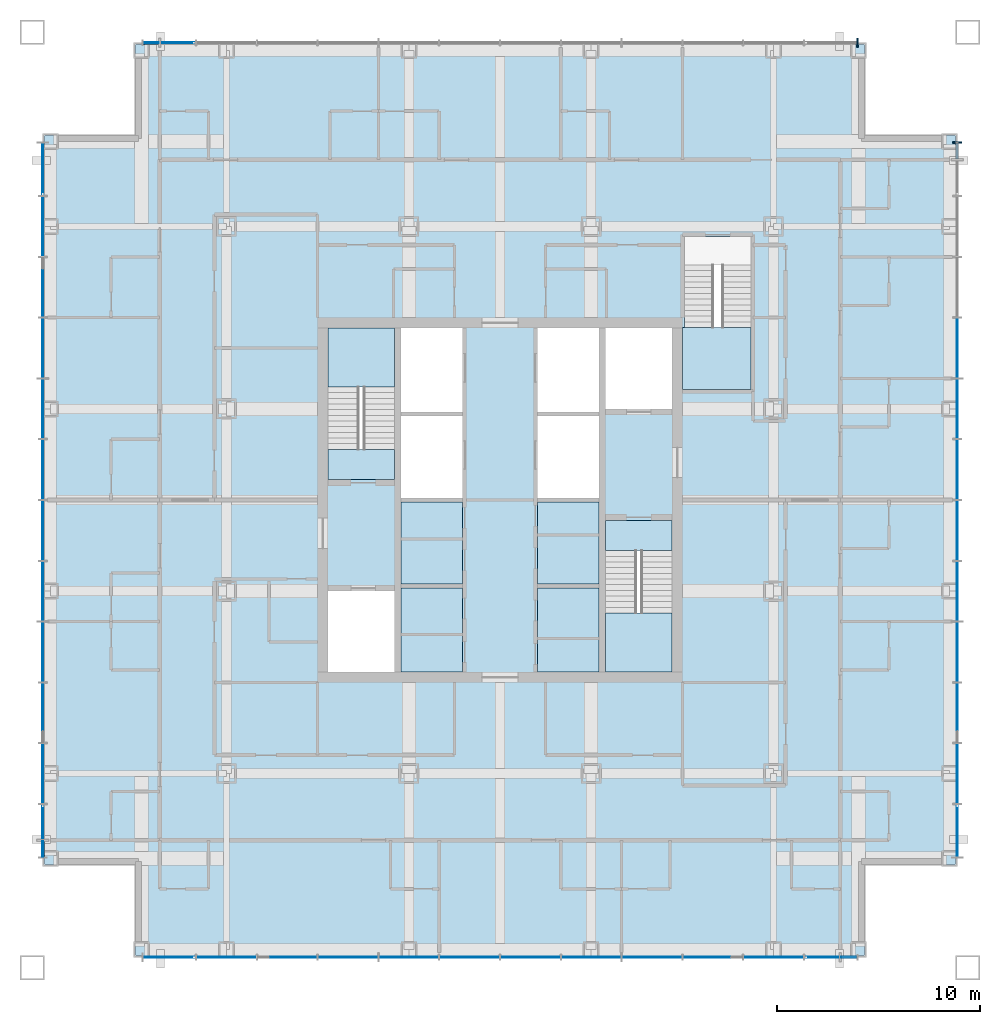
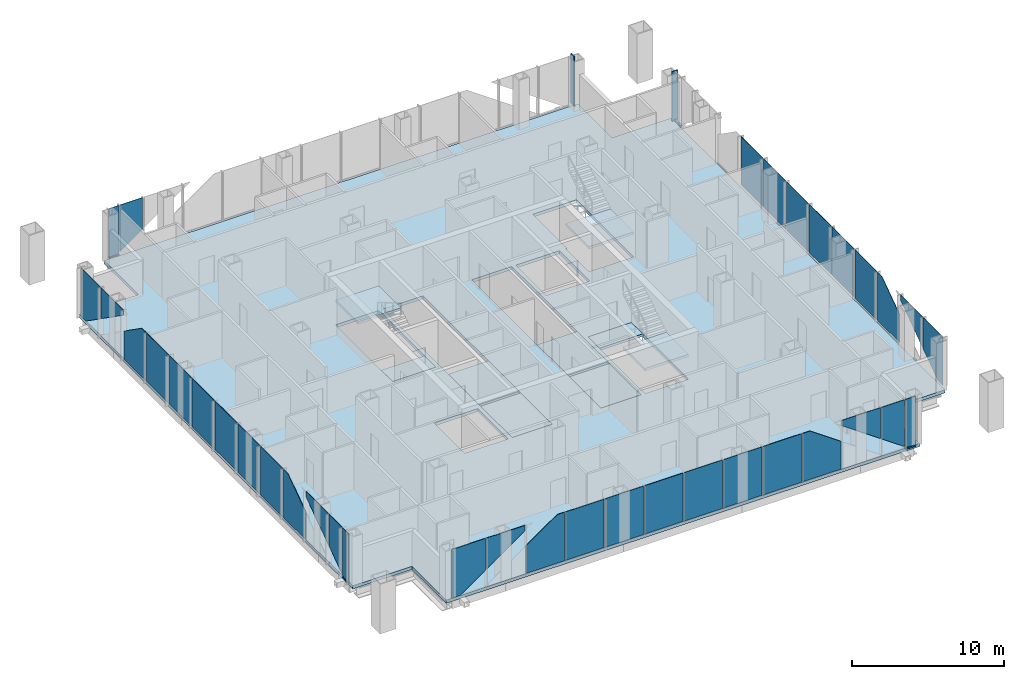
# One storey, part 5 of 15: 37 plates, 10 slabs, 6 members, 7 elements without a shape of their own.
"""IFC4 building model written with IfcOpenShell, lengths in metres."""

import ifcopenshell
import ifcopenshell.guid

model = None  # the IFC model being written
_history = None  # IfcOwnerHistory: only IFC2X3 demands one
_inside = {}  # id of a spatial element -> (the spatial element, [elements in it])
_under = {}  # id of a project, library or spatial element -> (it, [spatial elements below it])
_declared = {}  # id of a project -> (the project, [libraries it declares])
_typed = {}  # id of a type object -> (the type object, [elements of that type])
_made_of = {}  # id of a material, layer set ... -> (it, [elements and type objects made of it])


def new_model(schema):
    """Start an empty IFC model of exactly this schema.

    Asked for "IFC4X3", IfcOpenShell would pick the latest addendum, in which some entities
    have other attributes; the version numbers below select the first issue.
    IFC2X3 requires an IfcOwnerHistory on every rooted entity: one is made here for all.
    """
    global model, _history
    if schema == "IFC4X3":
        model = ifcopenshell.file(schema_version=(4, 3, 0, 0))
    else:
        model = ifcopenshell.file(schema=schema)
    _inside.clear()
    _under.clear()
    _declared.clear()
    _typed.clear()
    _made_of.clear()
    _history = None
    if model.schema == "IFC2X3":
        org = make("IfcOrganization", Name="unknown")
        user = make(
            "IfcPersonAndOrganization",
            ThePerson=make("IfcPerson", FamilyName="unknown"),
            TheOrganization=org,
        )
        app = make(
            "IfcApplication",
            ApplicationDeveloper=org,
            Version="unknown",
            ApplicationFullName="unknown",
            ApplicationIdentifier="unknown",
        )
        _history = make(
            "IfcOwnerHistory",
            OwningUser=user,
            OwningApplication=app,
            ChangeAction="ADDED",
            CreationDate=0,
        )
    return model


def make(cls, **values):
    """One entity of the class cls with the attributes given. An attribute that is None is left unset."""
    return model.create_entity(
        cls, **{name: value for name, value in values.items() if value is not None}
    )


def rooted(cls, **values):
    """An entity with a GlobalId (a new one), such as an element, a storey or a relation."""
    return make(cls, GlobalId=ifcopenshell.guid.new(), OwnerHistory=_history, **values)


def si_unit(unit_type, name, prefix=None):
    """IfcSIUnit, for example si_unit("LENGTHUNIT", "METRE", prefix="MILLI")."""
    return make("IfcSIUnit", UnitType=unit_type, Prefix=prefix, Name=name)


def assignment(units):
    """IfcUnitAssignment: the units of a project."""
    return None if units is None else make("IfcUnitAssignment", Units=units)


def point(xyz):
    """IfcCartesianPoint."""
    return None if xyz is None else make("IfcCartesianPoint", Coordinates=xyz)


def direction(xyz):
    """IfcDirection."""
    return None if xyz is None else make("IfcDirection", DirectionRatios=xyz)


def frame(location, z_axis=None, x_axis=None):
    """IfcAxis2Placement3D, a coordinate frame: its origin and axes. An axis left out is left unset."""
    return make(
        "IfcAxis2Placement3D",
        Location=point(location),
        Axis=direction(z_axis),
        RefDirection=direction(x_axis),
    )


def frame_2d(location, x_axis=None):
    """IfcAxis2Placement2D, a coordinate frame in the plane: its origin and x axis."""
    return make(
        "IfcAxis2Placement2D", Location=point(location), RefDirection=direction(x_axis)
    )


def origin():
    """The frame at (0, 0, 0) with its axes left unset."""
    return frame((0.0, 0.0, 0.0))


def origin_2d():
    """The frame at (0, 0) in the plane with its x axis left unset."""
    return frame_2d((0.0, 0.0))


def place(relative_to, where):
    """IfcLocalPlacement: puts the frame where relative to a parent placement (None: the world)."""
    return make(
        "IfcLocalPlacement", PlacementRelTo=relative_to, RelativePlacement=where
    )


def context(
    kind, dimensions, precision=None, world=None, true_north=None, identifier=None
):
    """IfcGeometricRepresentationContext, for example the 3D "Model" context."""
    return make(
        "IfcGeometricRepresentationContext",
        ContextIdentifier=identifier,
        ContextType=kind,
        CoordinateSpaceDimension=dimensions,
        Precision=precision,
        WorldCoordinateSystem=world,
        TrueNorth=true_north,
    )


def subcontext(parent, identifier, kind, view, scale=None):
    """IfcGeometricRepresentationSubContext, for example "Body" below "Model"."""
    return make(
        "IfcGeometricRepresentationSubContext",
        ContextIdentifier=identifier,
        ContextType=kind,
        ParentContext=parent,
        TargetScale=scale,
        TargetView=view,
    )


def project(units=None, contexts=None):
    """IfcProject with its units and contexts."""
    return rooted(
        "IfcProject",
        Name="project",
        RepresentationContexts=contexts,
        UnitsInContext=assignment(units),
    )


def spatial(cls, under=None, at=None, **own):
    """A site, building, storey or space (cls), placed at a placement, below another one or the project."""
    s = rooted(cls, ObjectPlacement=at, **own)
    if under is not None:
        _under.setdefault(under.id(), (under, []))[1].append(s)
    return s


def polyline(points):
    """IfcPolyline through the points."""
    return make("IfcPolyline", Points=[point(p) for p in points])


def profile(cls, at=None, kind="AREA", **sizes):
    """A parametric profile (cls). Its sizes go by their IFC names, for example OverallWidth=200.0."""
    return make(cls, ProfileType=kind, Position=at, **sizes)


def rectangle(**sizes):
    """IfcRectangleProfileDef."""
    return profile("IfcRectangleProfileDef", **sizes)


def outline(outer, holes=None, kind="AREA"):
    """IfcArbitraryClosedProfileDef: a profile drawn as a closed curve; with holes, ...WithVoids."""
    if holes is None:
        return make("IfcArbitraryClosedProfileDef", ProfileType=kind, OuterCurve=outer)
    return make(
        "IfcArbitraryProfileDefWithVoids",
        ProfileType=kind,
        OuterCurve=outer,
        InnerCurves=holes,
    )


def extrude(swept, where, along, depth):
    """IfcExtrudedAreaSolid: the profile swept, set in the frame where, extruded along a direction by depth."""
    return make(
        "IfcExtrudedAreaSolid",
        SweptArea=swept,
        Position=where,
        ExtrudedDirection=direction(along),
        Depth=depth,
    )


def shape(context_of_items, identifier, shape_type, items):
    """IfcShapeRepresentation: the items that make up one representation, for example the "Body"."""
    return make(
        "IfcShapeRepresentation",
        ContextOfItems=context_of_items,
        RepresentationIdentifier=identifier,
        RepresentationType=shape_type,
        Items=items,
    )


def material(Name=None, Category=None):
    """IfcMaterial."""
    return make("IfcMaterial", Name=Name, Category=Category)


def layer(
    of_material, thickness, ventilated=None, Name=None, Category=None, Priority=None
):
    """IfcMaterialLayer: one layer of a wall or slab, of a material (None: an air gap)."""
    return make(
        "IfcMaterialLayer",
        Material=of_material,
        LayerThickness=thickness,
        IsVentilated=ventilated,
        Name=Name,
        Category=Category,
        Priority=Priority,
    )


def layer_set(layers, Name=None):
    """IfcMaterialLayerSet."""
    return make("IfcMaterialLayerSet", MaterialLayers=layers, LayerSetName=Name)


def material_profile(
    of_material, cross_section, Name=None, Category=None, Priority=None
):
    """IfcMaterialProfile: a cross section and its material."""
    return make(
        "IfcMaterialProfile",
        Name=Name,
        Material=of_material,
        Profile=cross_section,
        Priority=Priority,
        Category=Category,
    )


def profile_set(profiles, Name=None, composite=None):
    """IfcMaterialProfileSet."""
    return make(
        "IfcMaterialProfileSet",
        Name=Name,
        MaterialProfiles=profiles,
        CompositeProfile=composite,
    )


def made_of(thing, what):
    """Note that an element or type object is made of a material, layer set ...; save() writes the relation."""
    if what is not None:
        _made_of.setdefault(what.id(), (what, []))[1].append(thing)
    return thing


def type_object(cls, material=None, **own):
    """A type object (cls), such as IfcWallType, which elements share."""
    return made_of(rooted(cls, **own), material)


def element(
    cls,
    number,
    at=None,
    inside=None,
    cuts=None,
    type_object=None,
    material=None,
    context=None,
    identifier="Body",
    shape_type=None,
    held_by="IfcProductDefinitionShape",
    body=None,
    shapes=None,
    **own,
):
    """One element of the class cls, such as IfcWall. Its Tag is "e" and its number.

    at: its placement. inside: the storey or other place that contains it. cuts: it is an
    opening in that element (IfcRelVoidsElement). A single representation is given by context,
    identifier, shape_type and body (its items); several are given by shapes. held_by: the class
    of the entity that holds the representations. save() writes the other relations.
    """
    e = rooted(cls, Tag="e%d" % number, ObjectPlacement=at, **own)
    if body is not None:
        shapes = [shape(context, identifier, shape_type, body)]
    if shapes is not None:
        e.Representation = make(held_by, Representations=shapes)
    if inside is not None:
        _inside.setdefault(inside.id(), (inside, []))[1].append(e)
    if cuts is not None:
        rooted(
            "IfcRelVoidsElement", RelatingBuildingElement=cuts, RelatedOpeningElement=e
        )
    if type_object is not None:
        _typed.setdefault(type_object.id(), (type_object, []))[1].append(e)
    return made_of(e, material)


def aggregate(whole, parts):
    """IfcRelAggregates: a whole, such as a stair, and the parts it consists of."""
    return rooted("IfcRelAggregates", RelatingObject=whole, RelatedObjects=parts)


def save(model, path):
    """Write the relations noted so far, then the file.

    IfcRelAggregates (storeys below a building ...), IfcRelContainedInSpatialStructure (elements
    in a storey), IfcRelDefinesByType, IfcRelAssociatesMaterial and IfcRelDeclares: one each for
    every whole, place, type object, material and project.
    """
    for whole, parts in _under.values():
        aggregate(whole, parts)
    for where, things in _inside.values():
        rooted(
            "IfcRelContainedInSpatialStructure",
            RelatedElements=things,
            RelatingStructure=where,
        )
    for kind, things in _typed.values():
        rooted("IfcRelDefinesByType", RelatedObjects=things, RelatingType=kind)
    for what, things in _made_of.values():
        rooted("IfcRelAssociatesMaterial", RelatedObjects=things, RelatingMaterial=what)
    for by, libraries in _declared.values():
        rooted("IfcRelDeclares", RelatingContext=by, RelatedDefinitions=libraries)
    model.write(path)


model = new_model("IFC4")

# Units and contexts
model_context = context("Model", 3, precision=1e-05, world=origin(), true_north=direction((0.0, 1.0)))
body_context = subcontext(model_context, "Body", "Model", "MODEL_VIEW")
ifc_project = project(units=[si_unit("LENGTHUNIT", "METRE"), si_unit("AREAUNIT", "SQUARE_METRE"), si_unit("VOLUMEUNIT", "CUBIC_METRE"), si_unit("PLANEANGLEUNIT", "RADIAN"), si_unit("MASSUNIT", "GRAM", prefix="KILO")], contexts=[model_context])

# Site, building, storey
site_placement = place(None, origin())
site = spatial("IfcSite", under=ifc_project, at=site_placement, CompositionType="ELEMENT")
building_placement = place(site_placement, origin())
building = spatial("IfcBuilding", under=site, at=building_placement, Name="Malebo Sky Hospital", CompositionType="ELEMENT")
storey_placement = place(building_placement, frame((0.0, 0.0, 181.0)))
storey = spatial("IfcBuildingStorey", under=building, at=storey_placement, Name="L43", CompositionType="ELEMENT", Elevation=181.0)

# Curtain wall, member
ifc_material_1 = material(Name="Anodised aluminium, natural silver", Category="aluminium")
ifc_layer_1 = layer(ifc_material_1, 0.25)
ifc_layer_set_1 = layer_set([ifc_layer_1], Name="WARD CURTAIN WALL NORTH AND SOUTH")
curtain_wall_type_1 = type_object("IfcCurtainWallType", Name="WARD CURTAIN WALL NORTH AND SOUTH", PredefinedType="NOTDEFINED", material=ifc_layer_set_1)
curtain_wall_1_placement = place(storey_placement, origin())
curtain_wall_1 = element("IfcCurtainWall", 1, at=curtain_wall_1_placement, inside=storey, type_object=curtain_wall_type_1, Name="NS curtain wall N", PredefinedType="NOTDEFINED")
ifc_material_profile_1 = material_profile(ifc_material_1, rectangle(XDim=0.14990234375, YDim=0.10009765625, at=origin_2d()), Name="ALUMINIUM TRANSOM 150x100")
ifc_profile_set_1 = profile_set([ifc_material_profile_1], Name="Anodised aluminium, natural silver")
member_type_1 = type_object("IfcMemberType", Name="ALUMINIUM TRANSOM 150x100", PredefinedType="USERDEFINED", material=ifc_profile_set_1)
member_1_placement = place(storey_placement, frame((42.375, 84.574951171875, 0.050048828125), z_axis=(1.0, 0.0, 0.0), x_axis=(0.0, 1.0, 0.0)))
member_1 = element("IfcMember", 2, at=member_1_placement, type_object=member_type_1, Name="Transom 1", ObjectType="TRANSOM", PredefinedType="USERDEFINED", context=body_context, shape_type="SweptSolid", body=[
    extrude(rectangle(XDim=0.14990234375, YDim=0.10009765625, at=origin_2d()), origin(), (0.0, 0.0, 1.0), 0.78759765625),
])

ifc_layer_2 = layer(ifc_material_1, 0.25)
ifc_layer_set_2 = layer_set([ifc_layer_2], Name="WARD CURTAIN WALL EAST AND WEST")
curtain_wall_type_2 = type_object("IfcCurtainWallType", Name="WARD CURTAIN WALL EAST AND WEST", PredefinedType="NOTDEFINED", material=ifc_layer_set_2)
curtain_wall_2_placement = place(storey_placement, origin())
curtain_wall_2 = element("IfcCurtainWall", 3, at=curtain_wall_2_placement, inside=storey, type_object=curtain_wall_type_2, Name="EW curtain wall W", PredefinedType="NOTDEFINED")
member_2_placement = place(storey_placement, frame((37.425048828125, 44.375, 0.050048828125), z_axis=(0.0, 1.0, 0.0), x_axis=(-1.0, 0.0, 0.0)))
member_2 = element("IfcMember", 4, at=member_2_placement, type_object=member_type_1, Name="Transom 1", ObjectType="TRANSOM", PredefinedType="USERDEFINED", context=body_context, shape_type="SweptSolid", body=[
    extrude(rectangle(XDim=0.14990234375, YDim=0.10009765625, at=origin_2d()), origin(), (0.0, 0.0, 1.0), 0.78759765625),
])

curtain_wall_3_placement = place(storey_placement, origin())
curtain_wall_3 = element("IfcCurtainWall", 5, at=curtain_wall_3_placement, inside=storey, type_object=curtain_wall_type_1, Name="NS curtain wall S", PredefinedType="NOTDEFINED")
member_3_placement = place(storey_placement, frame((77.625, 39.425048828125, 0.050048828125), z_axis=(-1.0, 0.0, 0.0), x_axis=(0.0, -1.0, 0.0)))
member_3 = element("IfcMember", 6, at=member_3_placement, type_object=member_type_1, Name="Transom 1", ObjectType="TRANSOM", PredefinedType="USERDEFINED", context=body_context, shape_type="SweptSolid", body=[
    extrude(rectangle(XDim=0.14990234375, YDim=0.10009765625, at=origin_2d()), origin(), (0.0, 0.0, 1.0), 0.78759765625),
])

curtain_wall_4_placement = place(storey_placement, origin())
curtain_wall_4 = element("IfcCurtainWall", 7, at=curtain_wall_4_placement, inside=storey, type_object=curtain_wall_type_2, Name="EW curtain wall E", PredefinedType="NOTDEFINED")
member_4_placement = place(storey_placement, frame((82.574951171875, 79.625, 0.050048828125), z_axis=(0.0, -1.0, 0.0), x_axis=(1.0, 0.0, 0.0)))
member_4 = element("IfcMember", 8, at=member_4_placement, type_object=member_type_1, Name="Transom 1", ObjectType="TRANSOM", PredefinedType="USERDEFINED", context=body_context, shape_type="SweptSolid", body=[
    extrude(rectangle(XDim=0.14990234375, YDim=0.10009765625, at=origin_2d()), origin(), (0.0, 0.0, 1.0), 0.78759765625),
])

# Member
ifc_material_profile_2 = material_profile(ifc_material_1, rectangle(XDim=0.074951171875, YDim=0.449951171875, at=origin_2d()), Name="CW1 ALUMINIUM FIN MULLION 75x450")
ifc_profile_set_2 = profile_set([ifc_material_profile_2], Name="Anodised aluminium, natural silver")
member_type_2 = type_object("IfcMemberType", Name="CW1 ALUMINIUM FIN MULLION 75x450", PredefinedType="MULLION", material=ifc_profile_set_2)
member_5_placement = place(storey_placement, frame((77.66259765625, 84.574951171875, 0.0), z_axis=(0.0, 0.0, 1.0), x_axis=(1.0, 0.0, 0.0)))
member_5 = element("IfcMember", 9, at=member_5_placement, type_object=member_type_2, Name="Fin mullion 14", PredefinedType="MULLION", context=body_context, shape_type="SweptSolid", body=[
    extrude(rectangle(XDim=0.074951171875, YDim=0.449951171875, at=origin_2d()), origin(), (0.0, 0.0, 1.0), 4.0),
])

ifc_material_profile_3 = material_profile(ifc_material_1, rectangle(XDim=0.074951171875, YDim=0.449951171875, at=origin_2d()), Name="CW2 ALUMINIUM FIN MULLION 75x450")
ifc_profile_set_3 = profile_set([ifc_material_profile_3], Name="Anodised aluminium, natural silver")
member_type_3 = type_object("IfcMemberType", Name="CW2 ALUMINIUM FIN MULLION 75x450", PredefinedType="MULLION", material=ifc_profile_set_3)
member_6_placement = place(storey_placement, frame((82.574951171875, 79.66259765625, 0.0), z_axis=(0.0, 0.0, 1.0), x_axis=(0.0, -1.0, 0.0)))
member_6 = element("IfcMember", 10, at=member_6_placement, type_object=member_type_3, Name="Fin mullion 1", PredefinedType="MULLION", context=body_context, shape_type="SweptSolid", body=[
    extrude(rectangle(XDim=0.074951171875, YDim=0.449951171875, at=origin_2d()), origin(), (0.0, 0.0, 1.0), 4.0),
])

# Slabs
ifc_material_2 = material(Name="Concrete C40/50", Category="concrete")
ifc_layer_3 = layer(ifc_material_2, 0.25)
ifc_layer_set_3 = layer_set([ifc_layer_3], Name="COMPOSITE FLOOR SLAB 250")
slab_type_1 = type_object("IfcSlabType", Name="COMPOSITE FLOOR SLAB 250", PredefinedType="FLOOR", material=ifc_layer_set_3)
slab_1_placement = place(storey_placement, frame((0.0, 0.0, -0.25)))
element("IfcSlab", 11, at=slab_1_placement, inside=storey, type_object=slab_type_1, Name="Floor slab L43", PredefinedType="FLOOR", context=body_context, shape_type="SweptSolid", body=[
    extrude(outline(polyline([(42.0, 84.5), (42.0, 80.0), (37.5, 80.0), (37.5, 44.0), (42.0, 44.0), (42.0, 39.5), (78.0, 39.5), (78.0, 44.0), (82.5, 44.0), (82.5, 80.0), (78.0, 80.0), (78.0, 84.5), (42.0, 84.5)]), holes=[polyline([(55.10009765625, 70.5), (58.14990234375, 70.5), (58.14990234375, 53.5), (55.10009765625, 53.5), (55.10009765625, 70.5)]), polyline([(64.89990234375, 70.5), (64.89990234375, 53.5), (61.85009765625, 53.5), (61.85009765625, 70.5), (64.89990234375, 70.5)]), polyline([(54.800048828125, 63.0), (51.5, 63.0), (51.5, 70.5), (54.800048828125, 70.5), (54.800048828125, 63.0)]), polyline([(51.5, 53.5), (51.5, 57.5), (54.800048828125, 57.5), (54.800048828125, 53.5), (51.5, 53.5)]), polyline([(65.199951171875, 61.0), (68.5, 61.0), (68.5, 53.5), (65.199951171875, 53.5), (65.199951171875, 61.0)]), polyline([(68.5, 70.5), (68.5, 66.5), (65.199951171875, 66.5), (65.199951171875, 70.5), (68.5, 70.5)]), polyline([(69.0, 67.449951171875), (69.0, 70.52001953125), (69.10009765625, 70.52001953125), (69.10009765625, 75.0), (72.39990234375, 75.0), (72.39990234375, 67.449951171875), (69.10009765625, 67.449951171875), (69.0, 67.449951171875)])]), origin(), (0.0, 0.0, 1.0), 0.25),
])
ifc_layer_4 = layer(ifc_material_2, 0.25)
ifc_layer_set_4 = layer_set([ifc_layer_4], Name="SHAFT INFILL SLAB 250")
slab_type_2 = type_object("IfcSlabType", Name="SHAFT INFILL SLAB 250", PredefinedType="FLOOR", material=ifc_layer_set_4)
slab_2_placement = place(storey_placement, frame((0.0, 0.0, -0.25)))
element("IfcSlab", 12, at=slab_2_placement, inside=storey, type_object=slab_type_2, Name="Shaft infill slab W1 L43", PredefinedType="FLOOR", context=body_context, shape_type="SweptSolid", body=[
    extrude(outline(polyline([(55.10009765625, 53.5), (58.14990234375, 53.5), (58.14990234375, 57.64990234375), (55.10009765625, 57.64990234375), (55.10009765625, 53.5)])), origin(), (0.0, 0.0, 1.0), 0.25),
])
slab_3_placement = place(storey_placement, frame((0.0, 0.0, -0.25)))
element("IfcSlab", 13, at=slab_3_placement, inside=storey, type_object=slab_type_2, Name="Shaft infill slab W2 L43", PredefinedType="FLOOR", context=body_context, shape_type="SweptSolid", body=[
    extrude(outline(polyline([(55.10009765625, 57.85009765625), (58.14990234375, 57.85009765625), (58.14990234375, 61.89990234375), (55.10009765625, 61.89990234375), (55.10009765625, 57.85009765625)])), origin(), (0.0, 0.0, 1.0), 0.25),
])
slab_4_placement = place(storey_placement, frame((0.0, 0.0, -0.25)))
element("IfcSlab", 14, at=slab_4_placement, inside=storey, type_object=slab_type_2, Name="Shaft infill slab E1 L43", PredefinedType="FLOOR", context=body_context, shape_type="SweptSolid", body=[
    extrude(outline(polyline([(61.85009765625, 53.5), (64.89990234375, 53.5), (64.89990234375, 57.64990234375), (61.85009765625, 57.64990234375), (61.85009765625, 53.5)])), origin(), (0.0, 0.0, 1.0), 0.25),
])
slab_5_placement = place(storey_placement, frame((0.0, 0.0, -0.25)))
element("IfcSlab", 15, at=slab_5_placement, inside=storey, type_object=slab_type_2, Name="Shaft infill slab E2 L43", PredefinedType="FLOOR", context=body_context, shape_type="SweptSolid", body=[
    extrude(outline(polyline([(61.85009765625, 57.85009765625), (64.89990234375, 57.85009765625), (64.89990234375, 61.89990234375), (61.85009765625, 61.89990234375), (61.85009765625, 57.85009765625)])), origin(), (0.0, 0.0, 1.0), 0.25),
])

# Stair, slabs
stair_type_1 = type_object("IfcStairType", Name="HALF-TURN STAIR 1500 R167", PredefinedType="HALF_TURN_STAIR", material=ifc_material_2)
stair_1_placement = place(storey_placement, origin())
stair_1 = element("IfcStair", 16, at=stair_1_placement, inside=storey, type_object=stair_type_1, Name="Stair S1 L43 type ST1", PredefinedType="HALF_TURN_STAIR")
ifc_layer_5 = layer(ifc_material_2, 0.199951171875)
ifc_layer_set_5 = layer_set([ifc_layer_5], Name="STAIR LANDING 200")
slab_type_3 = type_object("IfcSlabType", Name="STAIR LANDING 200", PredefinedType="LANDING", material=ifc_layer_set_5)
slab_6_placement = place(storey_placement, frame((0.0, 0.0, -0.199951171875)))
slab_6 = element("IfcSlab", 17, at=slab_6_placement, type_object=slab_type_3, Name="S1 landing 1", PredefinedType="LANDING", context=body_context, shape_type="SweptSolid", body=[
    extrude(outline(polyline([(51.5, 63.0), (54.800048828125, 63.0), (54.800048828125, 64.5), (51.5, 64.5), (51.5, 63.0)])), origin(), (0.0, 0.0, 1.0), 0.199951171875),
])
slab_7_placement = place(storey_placement, frame((0.0, 0.0, 1.800048828125)))
slab_7 = element("IfcSlab", 18, at=slab_7_placement, type_object=slab_type_3, Name="S1 landing 2", PredefinedType="LANDING", context=body_context, shape_type="SweptSolid", body=[
    extrude(outline(polyline([(51.5, 67.580078125), (54.800048828125, 67.580078125), (54.800048828125, 70.5), (51.5, 70.5), (51.5, 67.580078125)])), origin(), (0.0, 0.0, 1.0), 0.199951171875),
])
aggregate(stair_1, [slab_6, slab_7])

stair_2_placement = place(storey_placement, origin())
stair_2 = element("IfcStair", 19, at=stair_2_placement, inside=storey, type_object=stair_type_1, Name="Stair S2 L43 type ST1", PredefinedType="HALF_TURN_STAIR")
slab_8_placement = place(storey_placement, frame((0.0, 0.0, -0.199951171875)))
slab_8 = element("IfcSlab", 20, at=slab_8_placement, type_object=slab_type_3, Name="S2 landing 1", PredefinedType="LANDING", context=body_context, shape_type="SweptSolid", body=[
    extrude(outline(polyline([(65.199951171875, 59.5), (68.5, 59.5), (68.5, 61.0), (65.199951171875, 61.0), (65.199951171875, 59.5)])), origin(), (0.0, 0.0, 1.0), 0.199951171875),
])
slab_9_placement = place(storey_placement, frame((0.0, 0.0, 1.800048828125)))
slab_9 = element("IfcSlab", 21, at=slab_9_placement, type_object=slab_type_3, Name="S2 landing 2", PredefinedType="LANDING", context=body_context, shape_type="SweptSolid", body=[
    extrude(outline(polyline([(65.199951171875, 53.5), (68.5, 53.5), (68.5, 56.419921875), (65.199951171875, 56.419921875), (65.199951171875, 53.5)])), origin(), (0.0, 0.0, 1.0), 0.199951171875),
])
aggregate(stair_2, [slab_8, slab_9])

# Stair, slab
stair_type_2 = type_object("IfcStairType", Name="HALF-TURN STAIR 1400 R167", PredefinedType="HALF_TURN_STAIR", material=ifc_material_2)
stair_3_placement = place(storey_placement, origin())
stair_3 = element("IfcStair", 22, at=stair_3_placement, inside=storey, type_object=stair_type_2, Name="Stair S3 L43 type ST1B", PredefinedType="HALF_TURN_STAIR")
slab_10_placement = place(storey_placement, frame((0.0, 0.0, 1.800048828125)))
slab_10 = element("IfcSlab", 23, at=slab_10_placement, type_object=slab_type_3, Name="S3 landing 2", PredefinedType="LANDING", context=body_context, shape_type="SweptSolid", body=[
    extrude(outline(polyline([(69.0, 67.449951171875), (72.39990234375, 67.449951171875), (72.39990234375, 70.52001953125), (69.0, 70.52001953125), (69.0, 67.449951171875)])), origin(), (0.0, 0.0, 1.0), 0.199951171875),
])
aggregate(stair_3, [slab_10])

# Plate
ifc_material_3 = material(Name="Clear low-iron double glazing", Category="glass")
ifc_layer_6 = layer(ifc_material_3, 0.031982421875)
ifc_layer_set_6 = layer_set([ifc_layer_6], Name="VISION PANEL CLEAR 32")
plate_type = type_object("IfcPlateType", Name="VISION PANEL CLEAR 32", PredefinedType="CURTAIN_PANEL", material=ifc_layer_set_6)
plate_1_placement = place(storey_placement, frame((42.768798828125, 84.574951171875, 0.10009765625), z_axis=(0.0, 0.0, 1.0), x_axis=(1.0, 0.0, 0.0)))
plate_1 = element("IfcPlate", 24, at=plate_1_placement, type_object=plate_type, Name="Panel 1", PredefinedType="CURTAIN_PANEL", context=body_context, shape_type="SweptSolid", body=[
    extrude(outline(polyline([(-0.393798828125, 0.0), (0.264404296875, 0.0), (0.393798828125, 0.0908203125), (0.393798828125, 3.889892578125), (-0.393798828125, 3.889892578125), (-0.393798828125, 0.0)])), frame((0.0, 0.01611328125, 0.0), z_axis=(0.0, -1.0, 0.0), x_axis=(1.0, 0.0, 0.0)), (0.0, 0.0, 1.0), 0.031982421875),
])

plate_2_placement = place(storey_placement, frame((44.10009765625, 84.574951171875, 0.243408203125), z_axis=(0.0, 0.0, 1.0), x_axis=(1.0, 0.0, 0.0)))
plate_2 = element("IfcPlate", 25, at=plate_2_placement, type_object=plate_type, Name="Panel 2", PredefinedType="CURTAIN_PANEL", context=body_context, shape_type="SweptSolid", body=[
    extrude(outline(polyline([(-0.862548828125, 0.0), (0.862548828125, 1.211669921875), (0.862548828125, 3.74658203125), (-0.862548828125, 3.74658203125), (-0.862548828125, 0.0)])), frame((0.0, 0.01611328125, 0.0), z_axis=(0.0, -1.0, 0.0), x_axis=(1.0, 0.0, 0.0)), (0.0, 0.0, 1.0), 0.031982421875),
])

aggregate(curtain_wall_1, [member_5, member_1, plate_1, plate_2])

plate_3_placement = place(storey_placement, frame((37.425048828125, 44.768798828125, 0.10009765625), z_axis=(0.0, 0.0, 1.0), x_axis=(0.0, 1.0, 0.0)))
plate_3 = element("IfcPlate", 26, at=plate_3_placement, type_object=plate_type, Name="Panel 1", PredefinedType="CURTAIN_PANEL", context=body_context, shape_type="SweptSolid", body=[
    extrude(outline(polyline([(-0.393798828125, 0.0), (0.264404296875, 0.0), (0.393798828125, 0.0908203125), (0.393798828125, 3.889892578125), (-0.393798828125, 3.889892578125), (-0.393798828125, 0.0)])), frame((0.0, 0.01611328125, 0.0), z_axis=(0.0, -1.0, 0.0), x_axis=(1.0, 0.0, 0.0)), (0.0, 0.0, 1.0), 0.031982421875),
])

plate_4_placement = place(storey_placement, frame((37.425048828125, 46.10009765625, 0.243408203125), z_axis=(0.0, 0.0, 1.0), x_axis=(0.0, 1.0, 0.0)))
plate_4 = element("IfcPlate", 27, at=plate_4_placement, type_object=plate_type, Name="Panel 2", PredefinedType="CURTAIN_PANEL", context=body_context, shape_type="SweptSolid", body=[
    extrude(outline(polyline([(-0.862548828125, 0.0), (0.862548828125, 1.211669921875), (0.862548828125, 3.74658203125), (-0.862548828125, 3.74658203125), (-0.862548828125, 0.0)])), frame((0.0, 0.01611328125, 0.0), z_axis=(0.0, -1.0, 0.0), x_axis=(1.0, 0.0, 0.0)), (0.0, 0.0, 1.0), 0.031982421875),
])

plate_5_placement = place(storey_placement, frame((37.425048828125, 48.5, 1.5078125), z_axis=(0.0, 0.0, 1.0), x_axis=(0.0, 1.0, 0.0)))
plate_5 = element("IfcPlate", 28, at=plate_5_placement, type_object=plate_type, Name="Panel 3", PredefinedType="CURTAIN_PANEL", context=body_context, shape_type="SweptSolid", body=[
    extrude(outline(polyline([(-1.46240234375, 0.0), (1.46240234375, 2.054443359375), (1.46240234375, 2.482177734375), (-1.46240234375, 2.482177734375), (-1.46240234375, 0.0)])), frame((0.0, 0.01611328125, 0.0), z_axis=(0.0, -1.0, 0.0), x_axis=(1.0, 0.0, 0.0)), (0.0, 0.0, 1.0), 0.031982421875),
])

plate_6_placement = place(storey_placement, frame((37.425048828125, 51.5, 0.10009765625), z_axis=(0.0, 0.0, 1.0), x_axis=(0.0, 1.0, 0.0)))
plate_6 = element("IfcPlate", 29, at=plate_6_placement, type_object=plate_type, Name="Panel 4", PredefinedType="CURTAIN_PANEL", context=body_context, shape_type="SweptSolid", body=[
    extrude(outline(polyline([(-1.46240234375, 0.0), (1.46240234375, 0.0), (1.46240234375, 3.889892578125), (0.900146484375, 3.889892578125), (-1.46240234375, 2.230712890625), (-1.46240234375, 0.0)])), frame((0.0, 0.01611328125, 0.0), z_axis=(0.0, -1.0, 0.0), x_axis=(1.0, 0.0, 0.0)), (0.0, 0.0, 1.0), 0.031982421875),
])

plate_7_placement = place(storey_placement, frame((37.425048828125, 54.5, 0.10009765625), z_axis=(0.0, 0.0, 1.0), x_axis=(0.0, 1.0, 0.0)))
plate_7 = element("IfcPlate", 30, at=plate_7_placement, type_object=plate_type, Name="Panel 5", PredefinedType="CURTAIN_PANEL", context=body_context, shape_type="SweptSolid", body=[
    extrude(rectangle(XDim=2.925048828125, YDim=0.031982421875, at=origin_2d()), origin(), (0.0, 0.0, 1.0), 3.889892578125),
])

plate_8_placement = place(storey_placement, frame((37.425048828125, 57.5, 0.10009765625), z_axis=(0.0, 0.0, 1.0), x_axis=(0.0, 1.0, 0.0)))
plate_8 = element("IfcPlate", 31, at=plate_8_placement, type_object=plate_type, Name="Panel 6", PredefinedType="CURTAIN_PANEL", context=body_context, shape_type="SweptSolid", body=[
    extrude(rectangle(XDim=2.925048828125, YDim=0.031982421875, at=origin_2d()), origin(), (0.0, 0.0, 1.0), 3.889892578125),
])

plate_9_placement = place(storey_placement, frame((37.425048828125, 60.5, 0.10009765625), z_axis=(0.0, 0.0, 1.0), x_axis=(0.0, 1.0, 0.0)))
plate_9 = element("IfcPlate", 32, at=plate_9_placement, type_object=plate_type, Name="Panel 7", PredefinedType="CURTAIN_PANEL", context=body_context, shape_type="SweptSolid", body=[
    extrude(rectangle(XDim=2.925048828125, YDim=0.031982421875, at=origin_2d()), origin(), (0.0, 0.0, 1.0), 3.889892578125),
])

plate_10_placement = place(storey_placement, frame((37.425048828125, 63.5, 0.10009765625), z_axis=(0.0, 0.0, 1.0), x_axis=(0.0, 1.0, 0.0)))
plate_10 = element("IfcPlate", 33, at=plate_10_placement, type_object=plate_type, Name="Panel 8", PredefinedType="CURTAIN_PANEL", context=body_context, shape_type="SweptSolid", body=[
    extrude(rectangle(XDim=2.925048828125, YDim=0.031982421875, at=origin_2d()), origin(), (0.0, 0.0, 1.0), 3.889892578125),
])

plate_11_placement = place(storey_placement, frame((37.425048828125, 66.5, 0.10009765625), z_axis=(0.0, 0.0, 1.0), x_axis=(0.0, 1.0, 0.0)))
plate_11 = element("IfcPlate", 34, at=plate_11_placement, type_object=plate_type, Name="Panel 9", PredefinedType="CURTAIN_PANEL", context=body_context, shape_type="SweptSolid", body=[
    extrude(rectangle(XDim=2.925048828125, YDim=0.031982421875, at=origin_2d()), origin(), (0.0, 0.0, 1.0), 3.889892578125),
])

plate_12_placement = place(storey_placement, frame((37.425048828125, 69.5, 0.10009765625), z_axis=(0.0, 0.0, 1.0), x_axis=(0.0, 1.0, 0.0)))
plate_12 = element("IfcPlate", 35, at=plate_12_placement, type_object=plate_type, Name="Panel 10", PredefinedType="CURTAIN_PANEL", context=body_context, shape_type="SweptSolid", body=[
    extrude(rectangle(XDim=2.925048828125, YDim=0.031982421875, at=origin_2d()), origin(), (0.0, 0.0, 1.0), 3.889892578125),
])

plate_13_placement = place(storey_placement, frame((37.425048828125, 72.5, 0.10009765625), z_axis=(0.0, 0.0, 1.0), x_axis=(0.0, 1.0, 0.0)))
plate_13 = element("IfcPlate", 36, at=plate_13_placement, type_object=plate_type, Name="Panel 11", PredefinedType="CURTAIN_PANEL", context=body_context, shape_type="SweptSolid", body=[
    extrude(outline(polyline([(-1.46240234375, 0.0), (1.46240234375, 0.0), (1.46240234375, 2.230712890625), (-0.900146484375, 3.889892578125), (-1.46240234375, 3.889892578125), (-1.46240234375, 0.0)])), frame((0.0, 0.01611328125, 0.0), z_axis=(0.0, -1.0, 0.0), x_axis=(1.0, 0.0, 0.0)), (0.0, 0.0, 1.0), 0.031982421875),
])

plate_14_placement = place(storey_placement, frame((37.425048828125, 75.5, 1.5078125), z_axis=(0.0, 0.0, 1.0), x_axis=(0.0, 1.0, 0.0)))
plate_14 = element("IfcPlate", 37, at=plate_14_placement, type_object=plate_type, Name="Panel 12", PredefinedType="CURTAIN_PANEL", context=body_context, shape_type="SweptSolid", body=[
    extrude(outline(polyline([(1.46240234375, 0.0), (1.46240234375, 2.482177734375), (-1.46240234375, 2.482177734375), (-1.46240234375, 2.054443359375), (1.46240234375, 0.0)])), frame((0.0, 0.01611328125, 0.0), z_axis=(0.0, -1.0, 0.0), x_axis=(1.0, 0.0, 0.0)), (0.0, 0.0, 1.0), 0.031982421875),
])

plate_15_placement = place(storey_placement, frame((37.425048828125, 78.331298828125, 0.10009765625), z_axis=(0.0, 0.0, 1.0), x_axis=(0.0, 1.0, 0.0)))
plate_15 = element("IfcPlate", 38, at=plate_15_placement, type_object=plate_type, Name="Panel 13", PredefinedType="CURTAIN_PANEL", context=body_context, shape_type="SweptSolid", body=[
    extrude(outline(polyline([(0.635498046875, 0.0), (1.293701171875, 0.0), (1.293701171875, 3.889892578125), (-1.293701171875, 3.889892578125), (-1.293701171875, 1.35498046875), (0.635498046875, 0.0)])), frame((0.0, 0.01611328125, 0.0), z_axis=(0.0, -1.0, 0.0), x_axis=(1.0, 0.0, 0.0)), (0.0, 0.0, 1.0), 0.031982421875),
])

aggregate(curtain_wall_2, [member_2, plate_3, plate_4, plate_5, plate_6, plate_7, plate_8, plate_9, plate_10, plate_11, plate_12, plate_13, plate_14, plate_15])

plate_16_placement = place(storey_placement, frame((77.231201171875, 39.425048828125, 0.10009765625), z_axis=(0.0, 0.0, 1.0), x_axis=(-1.0, 0.0, 0.0)))
plate_16 = element("IfcPlate", 39, at=plate_16_placement, type_object=plate_type, Name="Panel 1", PredefinedType="CURTAIN_PANEL", context=body_context, shape_type="SweptSolid", body=[
    extrude(outline(polyline([(-0.393798828125, 0.0), (0.264404296875, 0.0), (0.393798828125, 0.0908203125), (0.393798828125, 3.889892578125), (-0.393798828125, 3.889892578125), (-0.393798828125, 0.0)])), frame((0.0, 0.01611328125, 0.0), z_axis=(0.0, -1.0, 0.0), x_axis=(1.0, 0.0, 0.0)), (0.0, 0.0, 1.0), 0.031982421875),
])

plate_17_placement = place(storey_placement, frame((75.89990234375, 39.425048828125, 0.243408203125), z_axis=(0.0, 0.0, 1.0), x_axis=(-1.0, 0.0, 0.0)))
plate_17 = element("IfcPlate", 40, at=plate_17_placement, type_object=plate_type, Name="Panel 2", PredefinedType="CURTAIN_PANEL", context=body_context, shape_type="SweptSolid", body=[
    extrude(outline(polyline([(-0.862548828125, 0.0), (0.862548828125, 1.211669921875), (0.862548828125, 3.74658203125), (-0.862548828125, 3.74658203125), (-0.862548828125, 0.0)])), frame((0.0, 0.01611328125, 0.0), z_axis=(0.0, -1.0, 0.0), x_axis=(1.0, 0.0, 0.0)), (0.0, 0.0, 1.0), 0.031982421875),
])

plate_18_placement = place(storey_placement, frame((73.5, 39.425048828125, 1.5078125), z_axis=(0.0, 0.0, 1.0), x_axis=(-1.0, 0.0, 0.0)))
plate_18 = element("IfcPlate", 41, at=plate_18_placement, type_object=plate_type, Name="Panel 3", PredefinedType="CURTAIN_PANEL", context=body_context, shape_type="SweptSolid", body=[
    extrude(outline(polyline([(-1.46240234375, 0.0), (1.46240234375, 2.054443359375), (1.46240234375, 2.482177734375), (-1.46240234375, 2.482177734375), (-1.46240234375, 0.0)])), frame((0.0, 0.01611328125, 0.0), z_axis=(0.0, -1.0, 0.0), x_axis=(1.0, 0.0, 0.0)), (0.0, 0.0, 1.0), 0.031982421875),
])

plate_19_placement = place(storey_placement, frame((70.5, 39.425048828125, 0.10009765625), z_axis=(0.0, 0.0, 1.0), x_axis=(-1.0, 0.0, 0.0)))
plate_19 = element("IfcPlate", 42, at=plate_19_placement, type_object=plate_type, Name="Panel 4", PredefinedType="CURTAIN_PANEL", context=body_context, shape_type="SweptSolid", body=[
    extrude(outline(polyline([(-1.46240234375, 0.0), (1.46240234375, 0.0), (1.46240234375, 3.889892578125), (0.900146484375, 3.889892578125), (-1.46240234375, 2.230712890625), (-1.46240234375, 0.0)])), frame((0.0, 0.01611328125, 0.0), z_axis=(0.0, -1.0, 0.0), x_axis=(1.0, 0.0, 0.0)), (0.0, 0.0, 1.0), 0.031982421875),
])

plate_20_placement = place(storey_placement, frame((67.5, 39.425048828125, 0.10009765625), z_axis=(0.0, 0.0, 1.0), x_axis=(-1.0, 0.0, 0.0)))
plate_20 = element("IfcPlate", 43, at=plate_20_placement, type_object=plate_type, Name="Panel 5", PredefinedType="CURTAIN_PANEL", context=body_context, shape_type="SweptSolid", body=[
    extrude(rectangle(XDim=2.925048828125, YDim=0.031982421875, at=origin_2d()), origin(), (0.0, 0.0, 1.0), 3.889892578125),
])

plate_21_placement = place(storey_placement, frame((64.5, 39.425048828125, 0.10009765625), z_axis=(0.0, 0.0, 1.0), x_axis=(-1.0, 0.0, 0.0)))
plate_21 = element("IfcPlate", 44, at=plate_21_placement, type_object=plate_type, Name="Panel 6", PredefinedType="CURTAIN_PANEL", context=body_context, shape_type="SweptSolid", body=[
    extrude(rectangle(XDim=2.925048828125, YDim=0.031982421875, at=origin_2d()), origin(), (0.0, 0.0, 1.0), 3.889892578125),
])

plate_22_placement = place(storey_placement, frame((61.5, 39.425048828125, 0.10009765625), z_axis=(0.0, 0.0, 1.0), x_axis=(-1.0, 0.0, 0.0)))
plate_22 = element("IfcPlate", 45, at=plate_22_placement, type_object=plate_type, Name="Panel 7", PredefinedType="CURTAIN_PANEL", context=body_context, shape_type="SweptSolid", body=[
    extrude(rectangle(XDim=2.925048828125, YDim=0.031982421875, at=origin_2d()), origin(), (0.0, 0.0, 1.0), 3.889892578125),
])

plate_23_placement = place(storey_placement, frame((58.5, 39.425048828125, 0.10009765625), z_axis=(0.0, 0.0, 1.0), x_axis=(-1.0, 0.0, 0.0)))
plate_23 = element("IfcPlate", 46, at=plate_23_placement, type_object=plate_type, Name="Panel 8", PredefinedType="CURTAIN_PANEL", context=body_context, shape_type="SweptSolid", body=[
    extrude(rectangle(XDim=2.925048828125, YDim=0.031982421875, at=origin_2d()), origin(), (0.0, 0.0, 1.0), 3.889892578125),
])

plate_24_placement = place(storey_placement, frame((55.5, 39.425048828125, 0.10009765625), z_axis=(0.0, 0.0, 1.0), x_axis=(-1.0, 0.0, 0.0)))
plate_24 = element("IfcPlate", 47, at=plate_24_placement, type_object=plate_type, Name="Panel 9", PredefinedType="CURTAIN_PANEL", context=body_context, shape_type="SweptSolid", body=[
    extrude(rectangle(XDim=2.925048828125, YDim=0.031982421875, at=origin_2d()), origin(), (0.0, 0.0, 1.0), 3.889892578125),
])

plate_25_placement = place(storey_placement, frame((52.5, 39.425048828125, 0.10009765625), z_axis=(0.0, 0.0, 1.0), x_axis=(-1.0, 0.0, 0.0)))
plate_25 = element("IfcPlate", 48, at=plate_25_placement, type_object=plate_type, Name="Panel 10", PredefinedType="CURTAIN_PANEL", context=body_context, shape_type="SweptSolid", body=[
    extrude(rectangle(XDim=2.925048828125, YDim=0.031982421875, at=origin_2d()), origin(), (0.0, 0.0, 1.0), 3.889892578125),
])

plate_26_placement = place(storey_placement, frame((49.5, 39.425048828125, 0.10009765625), z_axis=(0.0, 0.0, 1.0), x_axis=(-1.0, 0.0, 0.0)))
plate_26 = element("IfcPlate", 49, at=plate_26_placement, type_object=plate_type, Name="Panel 11", PredefinedType="CURTAIN_PANEL", context=body_context, shape_type="SweptSolid", body=[
    extrude(outline(polyline([(-1.46240234375, 0.0), (1.46240234375, 0.0), (1.46240234375, 2.230712890625), (-0.900146484375, 3.889892578125), (-1.46240234375, 3.889892578125), (-1.46240234375, 0.0)])), frame((0.0, 0.01611328125, 0.0), z_axis=(0.0, -1.0, 0.0), x_axis=(1.0, 0.0, 0.0)), (0.0, 0.0, 1.0), 0.031982421875),
])

plate_27_placement = place(storey_placement, frame((46.5, 39.425048828125, 1.5078125), z_axis=(0.0, 0.0, 1.0), x_axis=(-1.0, 0.0, 0.0)))
plate_27 = element("IfcPlate", 50, at=plate_27_placement, type_object=plate_type, Name="Panel 12", PredefinedType="CURTAIN_PANEL", context=body_context, shape_type="SweptSolid", body=[
    extrude(outline(polyline([(1.46240234375, 0.0), (1.46240234375, 2.482177734375), (-1.46240234375, 2.482177734375), (-1.46240234375, 2.054443359375), (1.46240234375, 0.0)])), frame((0.0, 0.01611328125, 0.0), z_axis=(0.0, -1.0, 0.0), x_axis=(1.0, 0.0, 0.0)), (0.0, 0.0, 1.0), 0.031982421875),
])

plate_28_placement = place(storey_placement, frame((43.668701171875, 39.425048828125, 0.10009765625), z_axis=(0.0, 0.0, 1.0), x_axis=(-1.0, 0.0, 0.0)))
plate_28 = element("IfcPlate", 51, at=plate_28_placement, type_object=plate_type, Name="Panel 13", PredefinedType="CURTAIN_PANEL", context=body_context, shape_type="SweptSolid", body=[
    extrude(outline(polyline([(0.635498046875, 0.0), (1.293701171875, 0.0), (1.293701171875, 3.889892578125), (-1.293701171875, 3.889892578125), (-1.293701171875, 1.35498046875), (0.635498046875, 0.0)])), frame((0.0, 0.01611328125, 0.0), z_axis=(0.0, -1.0, 0.0), x_axis=(1.0, 0.0, 0.0)), (0.0, 0.0, 1.0), 0.031982421875),
])

aggregate(curtain_wall_3, [member_3, plate_16, plate_17, plate_18, plate_19, plate_20, plate_21, plate_22, plate_23, plate_24, plate_25, plate_26, plate_27, plate_28])

plate_29_placement = place(storey_placement, frame((82.574951171875, 69.5, 0.10009765625), z_axis=(0.0, 0.0, 1.0), x_axis=(0.0, -1.0, 0.0)))
plate_29 = element("IfcPlate", 52, at=plate_29_placement, type_object=plate_type, Name="Panel 5", PredefinedType="CURTAIN_PANEL", context=body_context, shape_type="SweptSolid", body=[
    extrude(rectangle(XDim=2.925048828125, YDim=0.031982421875, at=origin_2d()), origin(), (0.0, 0.0, 1.0), 3.889892578125),
])

plate_30_placement = place(storey_placement, frame((82.574951171875, 66.5, 0.10009765625), z_axis=(0.0, 0.0, 1.0), x_axis=(0.0, -1.0, 0.0)))
plate_30 = element("IfcPlate", 53, at=plate_30_placement, type_object=plate_type, Name="Panel 6", PredefinedType="CURTAIN_PANEL", context=body_context, shape_type="SweptSolid", body=[
    extrude(rectangle(XDim=2.925048828125, YDim=0.031982421875, at=origin_2d()), origin(), (0.0, 0.0, 1.0), 3.889892578125),
])

plate_31_placement = place(storey_placement, frame((82.574951171875, 63.5, 0.10009765625), z_axis=(0.0, 0.0, 1.0), x_axis=(0.0, -1.0, 0.0)))
plate_31 = element("IfcPlate", 54, at=plate_31_placement, type_object=plate_type, Name="Panel 7", PredefinedType="CURTAIN_PANEL", context=body_context, shape_type="SweptSolid", body=[
    extrude(rectangle(XDim=2.925048828125, YDim=0.031982421875, at=origin_2d()), origin(), (0.0, 0.0, 1.0), 3.889892578125),
])

plate_32_placement = place(storey_placement, frame((82.574951171875, 60.5, 0.10009765625), z_axis=(0.0, 0.0, 1.0), x_axis=(0.0, -1.0, 0.0)))
plate_32 = element("IfcPlate", 55, at=plate_32_placement, type_object=plate_type, Name="Panel 8", PredefinedType="CURTAIN_PANEL", context=body_context, shape_type="SweptSolid", body=[
    extrude(rectangle(XDim=2.925048828125, YDim=0.031982421875, at=origin_2d()), origin(), (0.0, 0.0, 1.0), 3.889892578125),
])

plate_33_placement = place(storey_placement, frame((82.574951171875, 57.5, 0.10009765625), z_axis=(0.0, 0.0, 1.0), x_axis=(0.0, -1.0, 0.0)))
plate_33 = element("IfcPlate", 56, at=plate_33_placement, type_object=plate_type, Name="Panel 9", PredefinedType="CURTAIN_PANEL", context=body_context, shape_type="SweptSolid", body=[
    extrude(rectangle(XDim=2.925048828125, YDim=0.031982421875, at=origin_2d()), origin(), (0.0, 0.0, 1.0), 3.889892578125),
])

plate_34_placement = place(storey_placement, frame((82.574951171875, 54.5, 0.10009765625), z_axis=(0.0, 0.0, 1.0), x_axis=(0.0, -1.0, 0.0)))
plate_34 = element("IfcPlate", 57, at=plate_34_placement, type_object=plate_type, Name="Panel 10", PredefinedType="CURTAIN_PANEL", context=body_context, shape_type="SweptSolid", body=[
    extrude(rectangle(XDim=2.925048828125, YDim=0.031982421875, at=origin_2d()), origin(), (0.0, 0.0, 1.0), 3.889892578125),
])

plate_35_placement = place(storey_placement, frame((82.574951171875, 51.5, 0.10009765625), z_axis=(0.0, 0.0, 1.0), x_axis=(0.0, -1.0, 0.0)))
plate_35 = element("IfcPlate", 58, at=plate_35_placement, type_object=plate_type, Name="Panel 11", PredefinedType="CURTAIN_PANEL", context=body_context, shape_type="SweptSolid", body=[
    extrude(outline(polyline([(-1.46240234375, 0.0), (1.46240234375, 0.0), (1.46240234375, 2.230712890625), (-0.900146484375, 3.889892578125), (-1.46240234375, 3.889892578125), (-1.46240234375, 0.0)])), frame((0.0, 0.01611328125, 0.0), z_axis=(0.0, -1.0, 0.0), x_axis=(1.0, 0.0, 0.0)), (0.0, 0.0, 1.0), 0.031982421875),
])

plate_36_placement = place(storey_placement, frame((82.574951171875, 48.5, 1.5078125), z_axis=(0.0, 0.0, 1.0), x_axis=(0.0, -1.0, 0.0)))
plate_36 = element("IfcPlate", 59, at=plate_36_placement, type_object=plate_type, Name="Panel 12", PredefinedType="CURTAIN_PANEL", context=body_context, shape_type="SweptSolid", body=[
    extrude(outline(polyline([(1.46240234375, 0.0), (1.46240234375, 2.482177734375), (-1.46240234375, 2.482177734375), (-1.46240234375, 2.054443359375), (1.46240234375, 0.0)])), frame((0.0, 0.01611328125, 0.0), z_axis=(0.0, -1.0, 0.0), x_axis=(1.0, 0.0, 0.0)), (0.0, 0.0, 1.0), 0.031982421875),
])

plate_37_placement = place(storey_placement, frame((82.574951171875, 45.668701171875, 0.10009765625), z_axis=(0.0, 0.0, 1.0), x_axis=(0.0, -1.0, 0.0)))
plate_37 = element("IfcPlate", 60, at=plate_37_placement, type_object=plate_type, Name="Panel 13", PredefinedType="CURTAIN_PANEL", context=body_context, shape_type="SweptSolid", body=[
    extrude(outline(polyline([(0.635498046875, 0.0), (1.293701171875, 0.0), (1.293701171875, 3.889892578125), (-1.293701171875, 3.889892578125), (-1.293701171875, 1.35498046875), (0.635498046875, 0.0)])), frame((0.0, 0.01611328125, 0.0), z_axis=(0.0, -1.0, 0.0), x_axis=(1.0, 0.0, 0.0)), (0.0, 0.0, 1.0), 0.031982421875),
])

aggregate(curtain_wall_4, [member_6, member_4, plate_29, plate_30, plate_31, plate_32, plate_33, plate_34, plate_35, plate_36, plate_37])

save(model, "model.ifc")
